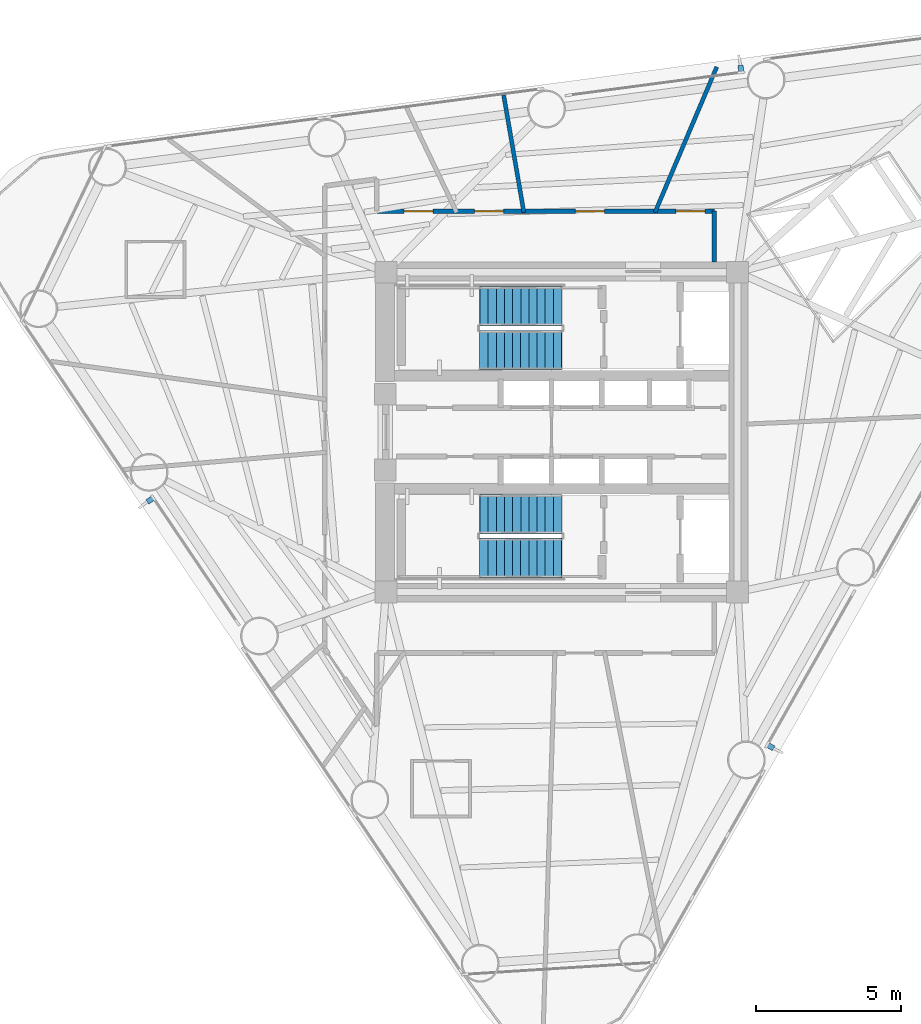
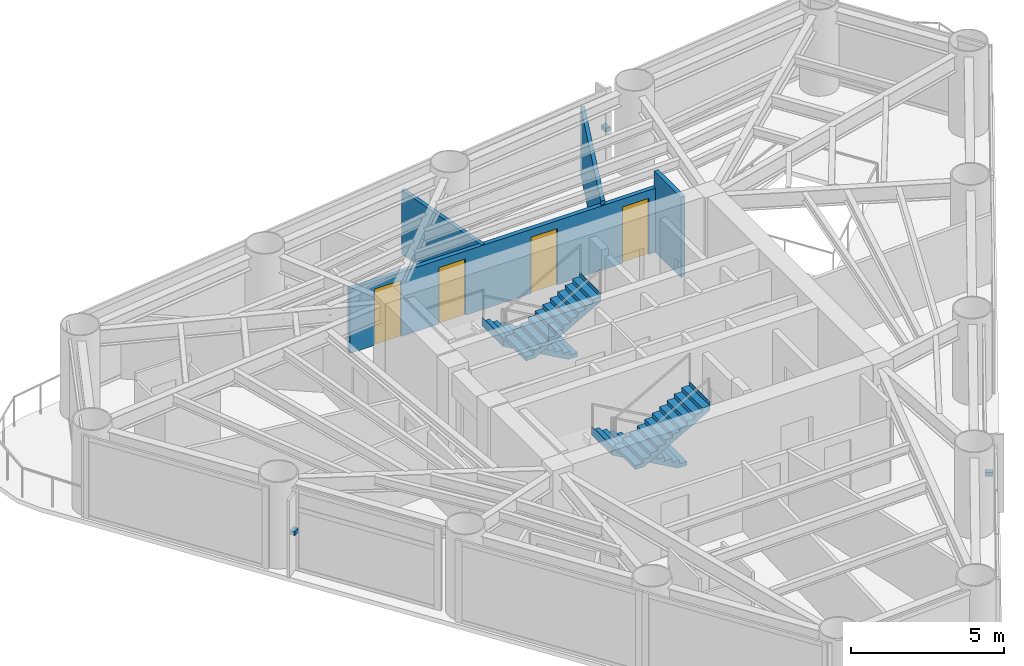
# One storey, part 7 of 10: 4 doors, 4 stair flights, 4 walls, 3 discrete accessories, 4 openings, 2 elements without a shape of their own.
"""IFC4 building model written with IfcOpenShell, lengths in metres."""

from ifc_helpers import new_model, si_unit, direction, frame, frame_2d, origin, origin_2d, place, context, subcontext, project, spatial, polyline, rectangle, outline, extrude, source, transform, mapped, material, layer, layer_set, type_object, element, fill, aggregate, save


model = new_model("IFC4")

# Units and contexts
model_context = context("Model", 3, precision=1e-05, world=origin(), true_north=direction((0.0, 1.0)))
body_context = subcontext(model_context, "Body", "Model", "MODEL_VIEW")
ifc_project = project(units=[si_unit("LENGTHUNIT", "METRE"), si_unit("AREAUNIT", "SQUARE_METRE"), si_unit("VOLUMEUNIT", "CUBIC_METRE"), si_unit("PLANEANGLEUNIT", "RADIAN"), si_unit("MASSUNIT", "GRAM", prefix="KILO")], contexts=[model_context])

# Site, building, storey
site_placement = place(None, origin())
site = spatial("IfcSite", under=ifc_project, at=site_placement, CompositionType="ELEMENT")
building_placement = place(site_placement, origin())
building = spatial("IfcBuilding", under=site, at=building_placement, Name="Yunling Apex Tower", CompositionType="ELEMENT")
storey_placement = place(building_placement, frame((0.0, 0.0, 182.89990234375)))
storey = spatial("IfcBuildingStorey", under=building, at=storey_placement, Name="L45", CompositionType="ELEMENT", Elevation=182.89990234375)

# Wall, openings, doors
ifc_material_1 = material(Name="Gypsum board acoustic partition")
ifc_layer_1 = layer(ifc_material_1, 0.159912109375)
ifc_layer_set_1 = layer_set([ifc_layer_1], Name="Gypsum board acoustic partition")
wall_type_1 = type_object("IfcWallType", Name="WL-PRT-1", PredefinedType="PARTITIONING", material=ifc_layer_set_1)
wall_1_placement = place(storey_placement, frame((-6.360107421875, 7.60009765625, 0.0), z_axis=(0.0, 0.0, 1.0), x_axis=(1.0, 0.0, 0.0)))
wall_1 = element("IfcWall", 1, at=wall_1_placement, inside=storey, type_object=wall_type_1, Name="WL-CORR-L45-06", PredefinedType="PARTITIONING", context=body_context, shape_type="SweptSolid", body=[
    extrude(rectangle(XDim=11.610107421875, YDim=0.159912109375, at=frame_2d((5.80517578125, 0.0))), origin(), (0.0, 0.0, 1.0), 2.565185546875),
])
opening_1_placement = place(wall_1_placement, frame((0.93359375, 0.0, 0.0)))
opening_1 = element("IfcOpeningElement", 2, at=opening_1_placement, cuts=wall_1, Name="Opening DR-OFF-1", PredefinedType="OPENING", context=body_context, shape_type="SweptSolid", body=[
    extrude(rectangle(XDim=1.0, YDim=2.25, at=frame_2d((0.5, 1.125))), frame((0.0, 0.08984375, 0.0), z_axis=(0.0, -1.0, 0.0), x_axis=(1.0, 0.0, 0.0)), (0.0, 0.0, 1.0), 0.179931640625),
])
opening_2_placement = place(wall_1_placement, frame((3.36376953125, 0.0, 0.0)))
opening_2 = element("IfcOpeningElement", 3, at=opening_2_placement, cuts=wall_1, Name="Opening DR-OFF-1", PredefinedType="OPENING", context=body_context, shape_type="SweptSolid", body=[
    extrude(rectangle(XDim=1.0, YDim=2.25, at=frame_2d((0.5, 1.125))), frame((0.0, 0.08984375, 0.0), z_axis=(0.0, -1.0, 0.0), x_axis=(1.0, 0.0, 0.0)), (0.0, 0.0, 1.0), 0.179931640625),
])
opening_3_placement = place(wall_1_placement, frame((6.826416015625, 0.0, 0.0)))
opening_3 = element("IfcOpeningElement", 4, at=opening_3_placement, cuts=wall_1, Name="Opening DR-OFF-1", PredefinedType="OPENING", context=body_context, shape_type="SweptSolid", body=[
    extrude(rectangle(XDim=1.0, YDim=2.25, at=frame_2d((0.5, 1.125))), frame((0.0, 0.08984375, 0.0), z_axis=(0.0, -1.0, 0.0), x_axis=(1.0, 0.0, 0.0)), (0.0, 0.0, 1.0), 0.179931640625),
])
opening_4_placement = place(wall_1_placement, frame((10.284912109375, 0.0, 0.0)))
opening_4 = element("IfcOpeningElement", 5, at=opening_4_placement, cuts=wall_1, Name="Opening DR-OFF-1", PredefinedType="OPENING", context=body_context, shape_type="SweptSolid", body=[
    extrude(rectangle(XDim=1.0, YDim=2.25, at=frame_2d((0.5, 1.125))), frame((0.0, 0.08984375, 0.0), z_axis=(0.0, -1.0, 0.0), x_axis=(1.0, 0.0, 0.0)), (0.0, 0.0, 1.0), 0.179931640625),
])
ifc_material_2 = material(Name="Bronze anodised aluminium", Category="aluminium")
door_type = type_object("IfcDoorType", Name="DR-OFF-1", OperationType="NOTDEFINED", PredefinedType="DOOR", material=ifc_material_2)
door_1_placement = place(opening_1_placement, origin())
door_1 = element("IfcDoor", 6, at=door_1_placement, inside=storey, type_object=door_type, Name="L45 Club Lounge Door", OperationType="SINGLE_SWING_RIGHT", OverallHeight=2.25, OverallWidth=1.0, PredefinedType="DOOR", context=body_context, shape_type="SweptSolid", body=[
    extrude(rectangle(XDim=1.0, YDim=2.25, at=frame_2d((0.5, 1.125))), frame((0.0, 0.02490234375, 0.0), z_axis=(0.0, -1.0, 0.0), x_axis=(1.0, 0.0, 0.0)), (0.0, 0.0, 1.0), 0.050048828125),
])
fill(opening_1, door_1)
door_2_placement = place(opening_2_placement, origin())
door_2 = element("IfcDoor", 7, at=door_2_placement, inside=storey, type_object=door_type, Name="L45 Club Lounge Door", OperationType="SINGLE_SWING_LEFT", OverallHeight=2.25, OverallWidth=1.0, PredefinedType="DOOR", context=body_context, shape_type="SweptSolid", body=[
    extrude(rectangle(XDim=1.0, YDim=2.25, at=frame_2d((0.5, 1.125))), frame((0.0, 0.02490234375, 0.0), z_axis=(0.0, -1.0, 0.0), x_axis=(1.0, 0.0, 0.0)), (0.0, 0.0, 1.0), 0.050048828125),
])
fill(opening_2, door_2)
door_3_placement = place(opening_3_placement, origin())
door_3 = element("IfcDoor", 8, at=door_3_placement, inside=storey, type_object=door_type, Name="L45 Club Lounge Door", OperationType="SINGLE_SWING_RIGHT", OverallHeight=2.25, OverallWidth=1.0, PredefinedType="DOOR", context=body_context, shape_type="SweptSolid", body=[
    extrude(rectangle(XDim=1.0, YDim=2.25, at=frame_2d((0.5, 1.125))), frame((0.0, 0.02490234375, 0.0), z_axis=(0.0, -1.0, 0.0), x_axis=(1.0, 0.0, 0.0)), (0.0, 0.0, 1.0), 0.050048828125),
])
fill(opening_3, door_3)
door_4_placement = place(opening_4_placement, origin())
door_4 = element("IfcDoor", 9, at=door_4_placement, inside=storey, type_object=door_type, Name="L45 Club Lounge Door", OperationType="SINGLE_SWING_LEFT", OverallHeight=2.25, OverallWidth=1.0, PredefinedType="DOOR", context=body_context, shape_type="SweptSolid", body=[
    extrude(rectangle(XDim=1.0, YDim=2.25, at=frame_2d((0.5, 1.125))), frame((0.0, 0.02490234375, 0.0), z_axis=(0.0, -1.0, 0.0), x_axis=(1.0, 0.0, 0.0)), (0.0, 0.0, 1.0), 0.050048828125),
])
fill(opening_4, door_4)

# Walls
wall_2_placement = place(storey_placement, frame((5.25, 7.60009765625, 0.0), z_axis=(0.0, 0.0, 1.0), x_axis=(0.0, -1.0, 0.0)))
element("IfcWall", 10, at=wall_2_placement, inside=storey, type_object=wall_type_1, Name="WL-CORR-L45-07", PredefinedType="PARTITIONING", context=body_context, shape_type="SweptSolid", body=[
    extrude(rectangle(XDim=1.75, YDim=0.159912109375, at=frame_2d((0.875, 0.0))), origin(), (0.0, 0.0, 1.0), 3.210205078125),
])
ifc_layer_2 = layer(ifc_material_1, 0.139892578125)
ifc_layer_set_2 = layer_set([ifc_layer_2], Name="Gypsum board acoustic partition")
wall_type_2 = type_object("IfcWallType", Name="WL-PRT-2", PredefinedType="PARTITIONING", material=ifc_layer_set_2)
wall_3_placement = place(storey_placement, frame((3.208984375, 7.56005859375, 0.0), z_axis=(0.0, 0.0, 1.0), x_axis=(0.390725109397, 0.920507408382, 0.0)))
element("IfcWall", 11, at=wall_3_placement, inside=storey, type_object=wall_type_2, Name="WL-RAD-L45-02", PredefinedType="PARTITIONING", context=body_context, shape_type="SweptSolid", body=[
    extrude(rectangle(XDim=5.437255859375, YDim=0.139892578125, at=frame_2d((2.71875, 0.0))), origin(), (0.0, 0.0, 1.0), 2.72509765625),
])
wall_4_placement = place(storey_placement, frame((-1.302734375, 7.56005859375, 0.0), z_axis=(0.0, 0.0, 1.0), x_axis=(-0.169831033654, 0.985473195987, 0.0)))
element("IfcWall", 12, at=wall_4_placement, inside=storey, type_object=wall_type_2, Name="WL-RAD-L45-03", PredefinedType="PARTITIONING", context=body_context, shape_type="SweptSolid", body=[
    extrude(rectangle(XDim=4.09423828125, YDim=0.139892578125, at=frame_2d((2.047119140625, 0.0))), origin(), (0.0, 0.0, 1.0), 2.565185546875),
])

# Stair, stair flights
ifc_material_3 = material(Name="Concrete C40", Category="concrete")
stair_type = type_object("IfcStairType", Name="ST-TWR-2", PredefinedType="HALF_TURN_STAIR", material=ifc_material_3)
stair_1_placement = place(storey_placement, origin())
stair_1 = element("IfcStair", 13, at=stair_1_placement, inside=storey, type_object=stair_type, Name="L45 North Core Smokeproof Exit Stair ST-1", PredefinedType="HALF_TURN_STAIR")
stair_flight_type = type_object("IfcStairFlightType", Name="SFL-TWR-2", PredefinedType="STRAIGHT", material=ifc_material_3)
stair_flight_1_placement = place(storey_placement, frame((-0.010009765625, 4.330078125, 0.0), z_axis=(0.0, 0.0, 1.0), x_axis=(-1.0, 0.0, 0.0)))
stair_flight_1 = element("IfcStairFlight", 14, at=stair_flight_1_placement, type_object=stair_flight_type, Name="ST-1 flight 1", NumberOfRisers=11, NumberOfTreads=10, PredefinedType="STRAIGHT", RiserHeight=0.156818182, TreadLength=0.28, context=body_context, shape_type="SweptSolid", body=[
    extrude(outline(polyline([(-0.011962890625, 0.0), (-0.011962890625, 0.15673828125), (0.0, 0.15673828125), (0.280029296875, 0.15673828125), (0.280029296875, 0.313720703125), (0.56005859375, 0.313720703125), (0.56005859375, 0.470458984375), (0.840087890625, 0.470458984375), (0.840087890625, 0.627197265625), (1.1201171875, 0.627197265625), (1.1201171875, 0.7841796875), (1.39990234375, 0.7841796875), (1.39990234375, 0.94091796875), (1.679931640625, 0.94091796875), (1.679931640625, 1.09765625), (1.9599609375, 1.09765625), (1.9599609375, 1.254638671875), (2.239990234375, 1.254638671875), (2.239990234375, 1.411376953125), (2.52001953125, 1.411376953125), (2.52001953125, 1.568115234375), (2.800048828125, 1.568115234375), (2.800048828125, 1.72509765625), (2.81201171875, 1.72509765625), (2.81201171875, 1.385009765625), (0.3271484375, 0.0), (-0.011962890625, 0.0)])), frame((0.0, 0.68017578125, 0.0), z_axis=(0.0, -1.0, 0.0), x_axis=(1.0, 0.0, 0.0)), (0.0, 0.0, 1.0), 1.360107421875),
])
stair_flight_2_placement = place(storey_placement, frame((-2.81005859375, 2.820068359375, 1.72509765625), z_axis=(0.0, 0.0, 1.0), x_axis=(1.0, 0.0, 0.0)))
stair_flight_2 = element("IfcStairFlight", 15, at=stair_flight_2_placement, type_object=stair_flight_type, Name="ST-1 flight 2", NumberOfRisers=11, NumberOfTreads=10, PredefinedType="STRAIGHT", RiserHeight=0.156818182, TreadLength=0.28, context=body_context, shape_type="SweptSolid", body=[
    extrude(outline(polyline([(-0.011962890625, 0.0), (-0.011962890625, 0.15673828125), (0.0, 0.15673828125), (0.280029296875, 0.15673828125), (0.280029296875, 0.313720703125), (0.56005859375, 0.313720703125), (0.56005859375, 0.470458984375), (0.840087890625, 0.470458984375), (0.840087890625, 0.627197265625), (1.1201171875, 0.627197265625), (1.1201171875, 0.7841796875), (1.39990234375, 0.7841796875), (1.39990234375, 0.94091796875), (1.679931640625, 0.94091796875), (1.679931640625, 1.09765625), (1.9599609375, 1.09765625), (1.9599609375, 1.254638671875), (2.239990234375, 1.254638671875), (2.239990234375, 1.411376953125), (2.52001953125, 1.411376953125), (2.52001953125, 1.568115234375), (2.800048828125, 1.568115234375), (2.800048828125, 1.72509765625), (2.81201171875, 1.72509765625), (2.81201171875, 1.385009765625), (0.3271484375, 0.0), (-0.011962890625, 0.0)])), frame((0.0, 0.68017578125, 0.0), z_axis=(0.0, -1.0, 0.0), x_axis=(1.0, 0.0, 0.0)), (0.0, 0.0, 1.0), 1.360107421875),
])
aggregate(stair_1, [stair_flight_1, stair_flight_2])

stair_2_placement = place(storey_placement, origin())
stair_2 = element("IfcStair", 16, at=stair_2_placement, inside=storey, type_object=stair_type, Name="L45 South Core Smokeproof Exit Stair ST-2", PredefinedType="HALF_TURN_STAIR")
stair_flight_3_placement = place(storey_placement, frame((-0.010009765625, -2.820068359375, 0.0), z_axis=(0.0, 0.0, 1.0), x_axis=(-1.0, 0.0, 0.0)))
stair_flight_3 = element("IfcStairFlight", 17, at=stair_flight_3_placement, type_object=stair_flight_type, Name="ST-2 flight 1", NumberOfRisers=11, NumberOfTreads=10, PredefinedType="STRAIGHT", RiserHeight=0.156818182, TreadLength=0.28, context=body_context, shape_type="SweptSolid", body=[
    extrude(outline(polyline([(-0.011962890625, 0.0), (-0.011962890625, 0.15673828125), (0.0, 0.15673828125), (0.280029296875, 0.15673828125), (0.280029296875, 0.313720703125), (0.56005859375, 0.313720703125), (0.56005859375, 0.470458984375), (0.840087890625, 0.470458984375), (0.840087890625, 0.627197265625), (1.1201171875, 0.627197265625), (1.1201171875, 0.7841796875), (1.39990234375, 0.7841796875), (1.39990234375, 0.94091796875), (1.679931640625, 0.94091796875), (1.679931640625, 1.09765625), (1.9599609375, 1.09765625), (1.9599609375, 1.254638671875), (2.239990234375, 1.254638671875), (2.239990234375, 1.411376953125), (2.52001953125, 1.411376953125), (2.52001953125, 1.568115234375), (2.800048828125, 1.568115234375), (2.800048828125, 1.72509765625), (2.81201171875, 1.72509765625), (2.81201171875, 1.385009765625), (0.3271484375, 0.0), (-0.011962890625, 0.0)])), frame((0.0, 0.68017578125, 0.0), z_axis=(0.0, -1.0, 0.0), x_axis=(1.0, 0.0, 0.0)), (0.0, 0.0, 1.0), 1.360107421875),
])
stair_flight_4_placement = place(storey_placement, frame((-2.81005859375, -4.330078125, 1.72509765625), z_axis=(0.0, 0.0, 1.0), x_axis=(1.0, 0.0, 0.0)))
stair_flight_4 = element("IfcStairFlight", 18, at=stair_flight_4_placement, type_object=stair_flight_type, Name="ST-2 flight 2", NumberOfRisers=11, NumberOfTreads=10, PredefinedType="STRAIGHT", RiserHeight=0.156818182, TreadLength=0.28, context=body_context, shape_type="SweptSolid", body=[
    extrude(outline(polyline([(-0.011962890625, 0.0), (-0.011962890625, 0.15673828125), (0.0, 0.15673828125), (0.280029296875, 0.15673828125), (0.280029296875, 0.313720703125), (0.56005859375, 0.313720703125), (0.56005859375, 0.470458984375), (0.840087890625, 0.470458984375), (0.840087890625, 0.627197265625), (1.1201171875, 0.627197265625), (1.1201171875, 0.7841796875), (1.39990234375, 0.7841796875), (1.39990234375, 0.94091796875), (1.679931640625, 0.94091796875), (1.679931640625, 1.09765625), (1.9599609375, 1.09765625), (1.9599609375, 1.254638671875), (2.239990234375, 1.254638671875), (2.239990234375, 1.411376953125), (2.52001953125, 1.411376953125), (2.52001953125, 1.568115234375), (2.800048828125, 1.568115234375), (2.800048828125, 1.72509765625), (2.81201171875, 1.72509765625), (2.81201171875, 1.385009765625), (0.3271484375, 0.0), (-0.011962890625, 0.0)])), frame((0.0, 0.68017578125, 0.0), z_axis=(0.0, -1.0, 0.0), x_axis=(1.0, 0.0, 0.0)), (0.0, 0.0, 1.0), 1.360107421875),
])
aggregate(stair_2, [stair_flight_3, stair_flight_4])

# Discrete accessories
ifc_material_4 = material(Name="Steel Q355B", Category="steel")
discrete_accessory_type = type_object("IfcDiscreteAccessoryType", Name="BK-FIN-1", PredefinedType="BRACKET", material=ifc_material_4)
shared_shape = source(origin(), body_context, "Body", "SweptSolid", [
    extrude(rectangle(XDim=0.179931640625, YDim=0.260009765625, at=origin_2d()), origin(), (0.0, 0.0, 1.0), 0.159912109375),
])
for number, where, z_axis, x_axis, name in (
    (19, (7.177490234375, -10.814697265625, 1.53515625), (0.0, 0.0, 1.0), (0.493031062956, 0.87001170737, 0.0), "CW-L45-F1-B2-BRK-01-1"),
    (20, (6.164794921875, 12.493408203125, 1.53515625), (0.0, 0.0, 1.0), (-0.9913534953, -0.131218319443, 0.0), "CW-L45-F2-B2-BRK-01-1"),
    (21, (-14.15087890625, -2.33056640625, 1.53515625), (0.0, 0.0, 1.0), (0.559192903471, -0.829037572555, 0.0), "CW-L45-F3-B2-BRK-01-1"),
):
    element("IfcDiscreteAccessory", number, at=place(storey_placement, frame(where, z_axis=z_axis, x_axis=x_axis)), inside=storey, type_object=discrete_accessory_type, Name=name, PredefinedType="BRACKET", context=body_context, shape_type="MappedRepresentation", body=[
        mapped(shared_shape, transform((0.0, 0.0, 0.0), scale=1.0)),
    ])

save(model, "model.ifc")
